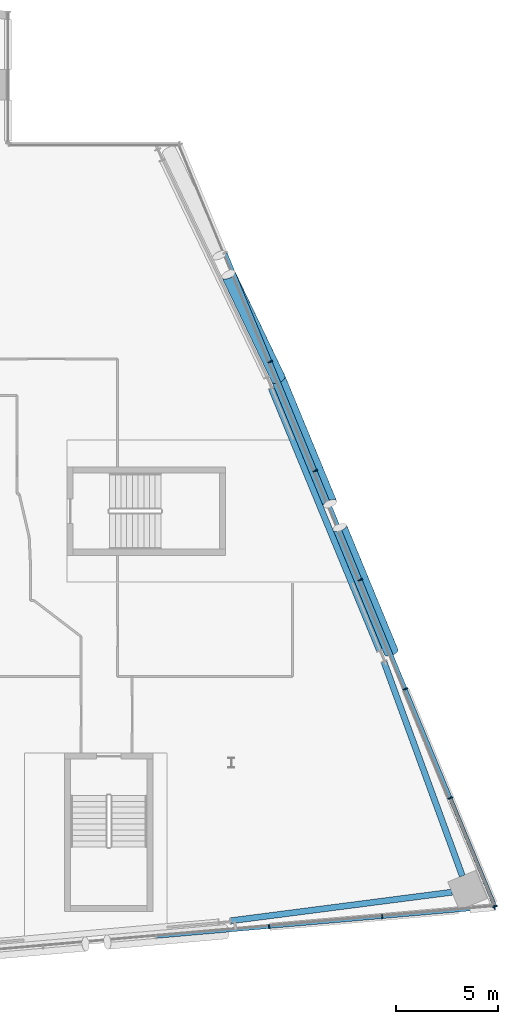
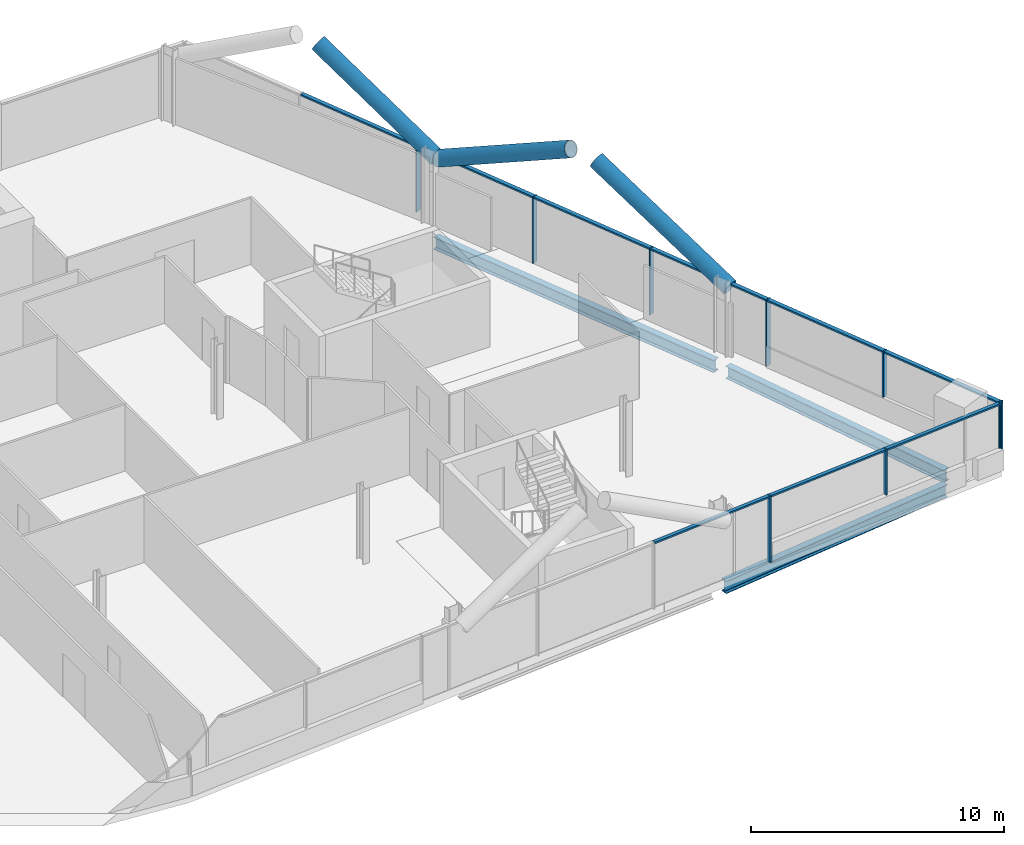
# One storey, part 11 of 26: 21 members, 3 beams, 2 elements without a shape of their own.
"""IFC4 building model written with IfcOpenShell, lengths in metres."""

from ifc_helpers import new_model, si_unit, direction, frame, origin, origin_2d, place, context, subcontext, project, spatial, rectangle, hollow_circle, i_section, extrude, material, material_profile, profile_set, type_object, element, aggregate, save


model = new_model("IFC4")

# Units and contexts
model_context = context("Model", 3, precision=1e-05, world=origin(), true_north=direction((0.0, 1.0)))
body_context = subcontext(model_context, "Body", "Model", "MODEL_VIEW")
ifc_project = project(units=[si_unit("LENGTHUNIT", "METRE"), si_unit("AREAUNIT", "SQUARE_METRE"), si_unit("VOLUMEUNIT", "CUBIC_METRE"), si_unit("PLANEANGLEUNIT", "RADIAN"), si_unit("MASSUNIT", "GRAM", prefix="KILO")], contexts=[model_context])

# Site, building, storey
site_placement = place(None, origin())
site = spatial("IfcSite", under=ifc_project, at=site_placement, CompositionType="ELEMENT")
building_placement = place(site_placement, origin())
building = spatial("IfcBuilding", under=site, at=building_placement, Name="Wharfspan Tower", CompositionType="ELEMENT")
storey_placement = place(building_placement, frame((0.0, 0.0, 169.899902)))
storey = spatial("IfcBuildingStorey", under=building, at=storey_placement, Name="L41", CompositionType="ELEMENT", Elevation=169.899902)

# Beams
ifc_material_1 = material(Name="Steel S355J2", Category="steel")
ifc_material_profile_1 = material_profile(ifc_material_1, i_section(OverallWidth=0.300049, OverallDepth=0.600098, WebThickness=0.015381, FlangeThickness=0.030029, FilletRadius=0.0271, at=origin_2d()))
ifc_profile_set_1 = profile_set([ifc_material_profile_1], Name="Steel S355J2")
beam_type = type_object("IfcBeamType", Name="Edge beam HEB 600", PredefinedType="SPANDREL", material=ifc_profile_set_1)
beam_1_placement = place(storey_placement, frame((71.965576, 3.724121, -0.699951), z_axis=(0.991764, 0.128077, 0.0), x_axis=(-0.128077, 0.991764, 0.0)))
element("IfcBeam", 1, at=beam_1_placement, inside=storey, type_object=beam_type, Name="Edge beam S2 L41 PS2.2 to MC4", PredefinedType="SPANDREL", context=body_context, shape_type="SweptSolid", body=[
    extrude(i_section(OverallWidth=0.300049, OverallDepth=0.600098, WebThickness=0.015381, FlangeThickness=0.030029, FilletRadius=0.0271, at=origin_2d()), origin(), (0.0, 0.0, 1.0), 10.991211),
])
beam_2_placement = place(storey_placement, frame((83.375732, 5.931885, -0.699951), z_axis=(-0.343871, 0.939017, 0.0), x_axis=(-0.939017, -0.343871, 0.0)))
element("IfcBeam", 2, at=beam_2_placement, inside=storey, type_object=beam_type, Name="Edge beam E L41 MC4 to PE.1", PredefinedType="SPANDREL", context=body_context, shape_type="SweptSolid", body=[
    extrude(i_section(OverallWidth=0.300049, OverallDepth=0.600098, WebThickness=0.015381, FlangeThickness=0.030029, FilletRadius=0.0271, at=origin_2d()), origin(), (0.0, 0.0, 1.0), 11.226807),
])
beam_3_placement = place(storey_placement, frame((79.292969, 17.044434, -0.699951), z_axis=(-0.381593, 0.92433, 0.0), x_axis=(-0.92433, -0.381593, 0.0)))
element("IfcBeam", 3, at=beam_3_placement, inside=storey, type_object=beam_type, Name="Edge beam E L41 PE.1 to PE.2", PredefinedType="SPANDREL", context=body_context, shape_type="SweptSolid", body=[
    extrude(i_section(OverallWidth=0.300049, OverallDepth=0.600098, WebThickness=0.015381, FlangeThickness=0.030029, FilletRadius=0.0271, at=origin_2d()), origin(), (0.0, 0.0, 1.0), 13.94751),
])

# Curtain wall, members
ifc_material_2 = material(Name="Aluminium 6063-T6", Category="aluminium")
curtain_wall_type_1 = type_object("IfcCurtainWallType", Name="CURTAIN WALL FACETED FRONT", PredefinedType="NOTDEFINED", material=ifc_material_2)
curtain_wall_1_placement = place(storey_placement, origin())
curtain_wall_1 = element("IfcCurtainWall", 4, at=curtain_wall_1_placement, inside=storey, type_object=curtain_wall_type_1, Name="Curtain wall S2", PredefinedType="NOTDEFINED")
ifc_material_profile_2 = material_profile(ifc_material_2, rectangle(XDim=0.199951, YDim=0.060059, at=origin_2d()))
ifc_profile_set_2 = profile_set([ifc_material_profile_2], Name="Aluminium 6063-T6")
member_type_1 = type_object("IfcMemberType", Name="MULLION FACETED FRONT 60x200", PredefinedType="MULLION", material=ifc_profile_set_2)
member_1_placement = place(storey_placement, frame((73.857178, 3.425049, 0.0), z_axis=(0.0, 0.0, 1.0), x_axis=(-0.087156, 0.996198, 0.0)))
member_1 = element("IfcMember", 5, at=member_1_placement, type_object=member_type_1, Name="Curtain wall S2 mullion 6", PredefinedType="MULLION", context=body_context, shape_type="SweptSolid", body=[
    extrude(rectangle(XDim=0.199951, YDim=0.060059, at=origin_2d()), origin(), (0.0, 0.0, 1.0), 3.200195),
])
member_2_placement = place(storey_placement, frame((79.428467, 3.912598, 1.0), z_axis=(0.0, 0.0, 1.0), x_axis=(-0.087156, 0.996198, 0.0)))
member_2 = element("IfcMember", 6, at=member_2_placement, type_object=member_type_1, Name="Curtain wall S2 mullion 7", PredefinedType="MULLION", context=body_context, shape_type="SweptSolid", body=[
    extrude(rectangle(XDim=0.199951, YDim=0.060059, at=origin_2d()), origin(), (0.0, 0.0, 1.0), 2.200195),
])
member_3_placement = place(storey_placement, frame((84.970215, 4.397461, 1.0), z_axis=(0.0, 0.0, 1.0), x_axis=(-0.087156, 0.996198, 0.0)))
member_3 = element("IfcMember", 7, at=member_3_placement, type_object=member_type_1, Name="Curtain wall S2 mullion 8", PredefinedType="MULLION", context=body_context, shape_type="SweptSolid", body=[
    extrude(rectangle(XDim=0.199951, YDim=0.060059, at=origin_2d()), origin(), (0.0, 0.0, 1.0), 2.200195),
])

curtain_wall_type_2 = type_object("IfcCurtainWallType", Name="CURTAIN WALL PROW AND END", PredefinedType="NOTDEFINED", material=ifc_material_2)
curtain_wall_2_placement = place(storey_placement, origin())
curtain_wall_2 = element("IfcCurtainWall", 8, at=curtain_wall_2_placement, inside=storey, type_object=curtain_wall_type_2, Name="Curtain wall E", PredefinedType="NOTDEFINED")
ifc_material_profile_3 = material_profile(ifc_material_2, rectangle(XDim=0.23999, YDim=0.060059, at=origin_2d()))
ifc_profile_set_3 = profile_set([ifc_material_profile_3], Name="Aluminium 6063-T6")
member_type_2 = type_object("IfcMemberType", Name="MULLION PROW AND END 60x240", PredefinedType="MULLION", material=ifc_profile_set_3)
member_4_placement = place(storey_placement, frame((84.988525, 4.427734, 1.0), z_axis=(0.0, 0.0, 1.0), x_axis=(-0.924325, -0.381602, 0.0)))
member_4 = element("IfcMember", 9, at=member_4_placement, type_object=member_type_2, Name="Curtain wall E mullion 1", PredefinedType="MULLION", context=body_context, shape_type="SweptSolid", body=[
    extrude(rectangle(XDim=0.23999, YDim=0.060059, at=origin_2d()), origin(), (0.0, 0.0, 1.0), 2.200195),
])
member_5_placement = place(storey_placement, frame((82.782471, 9.771484, 1.0), z_axis=(0.0, 0.0, 1.0), x_axis=(-0.924325, -0.381602, 0.0)))
member_5 = element("IfcMember", 10, at=member_5_placement, type_object=member_type_2, Name="Curtain wall E mullion 2", PredefinedType="MULLION", context=body_context, shape_type="SweptSolid", body=[
    extrude(rectangle(XDim=0.23999, YDim=0.060059, at=origin_2d()), origin(), (0.0, 0.0, 1.0), 2.200195),
])
member_6_placement = place(storey_placement, frame((80.564941, 15.142822, 0.0), z_axis=(0.0, 0.0, 1.0), x_axis=(-0.924325, -0.381602, 0.0)))
member_6 = element("IfcMember", 11, at=member_6_placement, type_object=member_type_2, Name="Curtain wall E mullion 3", PredefinedType="MULLION", context=body_context, shape_type="SweptSolid", body=[
    extrude(rectangle(XDim=0.23999, YDim=0.060059, at=origin_2d()), origin(), (0.0, 0.0, 1.0), 3.200195),
])
member_7_placement = place(storey_placement, frame((78.347412, 20.514404, 0.0), z_axis=(0.0, 0.0, 1.0), x_axis=(-0.924325, -0.381602, 0.0)))
member_7 = element("IfcMember", 12, at=member_7_placement, type_object=member_type_2, Name="Curtain wall E mullion 4", PredefinedType="MULLION", context=body_context, shape_type="SweptSolid", body=[
    extrude(rectangle(XDim=0.23999, YDim=0.060059, at=origin_2d()), origin(), (0.0, 0.0, 1.0), 3.200195),
])
member_8_placement = place(storey_placement, frame((76.129639, 25.885742, 0.0), z_axis=(0.0, 0.0, 1.0), x_axis=(-0.924325, -0.381602, 0.0)))
member_8 = element("IfcMember", 13, at=member_8_placement, type_object=member_type_2, Name="Curtain wall E mullion 5", PredefinedType="MULLION", context=body_context, shape_type="SweptSolid", body=[
    extrude(rectangle(XDim=0.23999, YDim=0.060059, at=origin_2d()), origin(), (0.0, 0.0, 1.0), 3.200195),
])
member_9_placement = place(storey_placement, frame((73.912109, 31.25708, 0.0), z_axis=(0.0, 0.0, 1.0), x_axis=(-0.924325, -0.381602, 0.0)))
member_9 = element("IfcMember", 14, at=member_9_placement, type_object=member_type_2, Name="Curtain wall E mullion 6", PredefinedType="MULLION", context=body_context, shape_type="SweptSolid", body=[
    extrude(rectangle(XDim=0.23999, YDim=0.060059, at=origin_2d()), origin(), (0.0, 0.0, 1.0), 3.200195),
])

# Members
ifc_material_3 = material(Name="Steel S460NH", Category="steel")
ifc_material_profile_4 = material_profile(ifc_material_3, hollow_circle(Radius=0.355469, WallThickness=0.035889, at=origin_2d()))
ifc_profile_set_4 = profile_set([ifc_material_profile_4], Name="Steel S460NH")
member_type_3 = type_object("IfcMemberType", Name="Mega brace CHS 711x36", PredefinedType="BRACE", material=ifc_profile_set_4)
for number, where, z_axis, x_axis, name in (
    (15, (79.876465, 16.954346, 2.900146), (-0.342045, 0.828562, 0.443271), (-0.924337, -0.381581, -3e-06), "Mega brace E5 L42 part 1"),
    (16, (74.320557, 30.411865, 2.900146), (0.342084, -0.828543, 0.443278), (0.924317, 0.381625, -3e-06), "Mega brace E5 L42 part 3"),
):
    element("IfcMember", number, at=place(storey_placement, frame(where, z_axis=z_axis, x_axis=x_axis)), inside=storey, type_object=member_type_3, Name=name, PredefinedType="BRACE", context=body_context, shape_type="SweptSolid", body=[
        extrude(hollow_circle(Radius=0.355469, WallThickness=0.035889, at=origin_2d()), origin(), (0.0, 0.0, 1.0), 7.406738),
    ])
member_10_placement = place(storey_placement, frame((74.320557, 30.411865, 2.900146), z_axis=(-0.374119, 0.780731, 0.500494), x_axis=(-0.90181, -0.432137, -3e-06)))
element("IfcMember", 17, at=member_10_placement, inside=storey, type_object=member_type_3, Name="Mega brace E6 L42 part 1", PredefinedType="BRACE", context=body_context, shape_type="SweptSolid", body=[
    extrude(hollow_circle(Radius=0.355469, WallThickness=0.035889, at=origin_2d()), origin(), (0.0, 0.0, 1.0), 6.581787),
])

# Member
ifc_material_profile_5 = material_profile(ifc_material_2, rectangle(XDim=0.159912, YDim=0.080078, at=origin_2d()))
ifc_profile_set_5 = profile_set([ifc_material_profile_5], Name="Aluminium 6063-T6")
member_type_4 = type_object("IfcMemberType", Name="TRANSOM FACETED FRONT 80x160", PredefinedType="USERDEFINED", material=ifc_profile_set_5)
member_11_placement = place(storey_placement, frame((68.315674, 2.940186, 3.160156), z_axis=(0.996191, 0.087197, 0.0), x_axis=(-0.087197, 0.996191, 0.0)))
member_11 = element("IfcMember", 18, at=member_11_placement, type_object=member_type_4, Name="Curtain wall S2 transom 5", ObjectType="TRANSOM", PredefinedType="USERDEFINED", context=body_context, shape_type="SweptSolid", body=[
    extrude(rectangle(XDim=0.159912, YDim=0.080078, at=origin_2d()), origin(), (0.0, 0.0, 1.0), 5.532471),
])

member_12_placement = place(storey_placement, frame((73.886963, 3.427734, 3.160156), z_axis=(0.996195, 0.087149, 0.0), x_axis=(-0.087149, 0.996195, 0.0)))
member_12 = element("IfcMember", 19, at=member_12_placement, type_object=member_type_4, Name="Curtain wall S2 transom 6", ObjectType="TRANSOM", PredefinedType="USERDEFINED", context=body_context, shape_type="SweptSolid", body=[
    extrude(rectangle(XDim=0.159912, YDim=0.080078, at=origin_2d()), origin(), (0.0, 0.0, 1.0), 5.532715),
])

member_13_placement = place(storey_placement, frame((79.458496, 3.915283, 3.160156), z_axis=(0.996196, 0.087139, 0.0), x_axis=(-0.087139, 0.996196, 0.0)))
member_13 = element("IfcMember", 20, at=member_13_placement, type_object=member_type_4, Name="Curtain wall S2 transom 7", ObjectType="TRANSOM", PredefinedType="USERDEFINED", context=body_context, shape_type="SweptSolid", body=[
    extrude(rectangle(XDim=0.159912, YDim=0.080078, at=origin_2d()), origin(), (0.0, 0.0, 1.0), 5.502686),
])

aggregate(curtain_wall_1, [member_1, member_2, member_3, member_11, member_12, member_13])

ifc_material_profile_6 = material_profile(ifc_material_2, rectangle(XDim=0.179932, YDim=0.080078, at=origin_2d()))
ifc_profile_set_6 = profile_set([ifc_material_profile_6], Name="Aluminium 6063-T6")
member_type_5 = type_object("IfcMemberType", Name="TRANSOM PROW AND END 80x180", PredefinedType="USERDEFINED", material=ifc_profile_set_6)
member_14_placement = place(storey_placement, frame((84.977051, 4.455566, 3.160156), z_axis=(-0.381595, 0.924329, 0.0), x_axis=(-0.924329, -0.381595, 0.0)))
member_14 = element("IfcMember", 21, at=member_14_placement, type_object=member_type_5, Name="Curtain wall E transom 1", ObjectType="TRANSOM", PredefinedType="USERDEFINED", context=body_context, shape_type="SweptSolid", body=[
    extrude(rectangle(XDim=0.179932, YDim=0.080078, at=origin_2d()), origin(), (0.0, 0.0, 1.0), 5.720947),
])

member_15_placement = place(storey_placement, frame((82.770996, 9.799072, 3.160156), z_axis=(-0.381578, 0.924337, 0.0), x_axis=(-0.924337, -0.381578, 0.0)))
member_15 = element("IfcMember", 22, at=member_15_placement, type_object=member_type_5, Name="Curtain wall E transom 2", ObjectType="TRANSOM", PredefinedType="USERDEFINED", context=body_context, shape_type="SweptSolid", body=[
    extrude(rectangle(XDim=0.179932, YDim=0.080078, at=origin_2d()), origin(), (0.0, 0.0, 1.0), 5.751221),
])

member_16_placement = place(storey_placement, frame((80.553467, 15.170654, 3.160156), z_axis=(-0.381629, 0.924315, 0.0), x_axis=(-0.924315, -0.381629, 0.0)))
member_16 = element("IfcMember", 23, at=member_16_placement, type_object=member_type_5, Name="Curtain wall E transom 3", ObjectType="TRANSOM", PredefinedType="USERDEFINED", context=body_context, shape_type="SweptSolid", body=[
    extrude(rectangle(XDim=0.179932, YDim=0.080078, at=origin_2d()), origin(), (0.0, 0.0, 1.0), 5.751221),
])

member_17_placement = place(storey_placement, frame((78.335938, 20.541992, 3.160156), z_axis=(-0.381629, 0.924315, 0.0), x_axis=(-0.924315, -0.381629, 0.0)))
member_17 = element("IfcMember", 24, at=member_17_placement, type_object=member_type_5, Name="Curtain wall E transom 4", ObjectType="TRANSOM", PredefinedType="USERDEFINED", context=body_context, shape_type="SweptSolid", body=[
    extrude(rectangle(XDim=0.179932, YDim=0.080078, at=origin_2d()), origin(), (0.0, 0.0, 1.0), 5.751221),
])

member_18_placement = place(storey_placement, frame((76.118408, 25.91333, 3.160156), z_axis=(-0.381614, 0.924322, 0.0), x_axis=(-0.924322, -0.381614, 0.0)))
member_18 = element("IfcMember", 25, at=member_18_placement, type_object=member_type_5, Name="Curtain wall E transom 5", ObjectType="TRANSOM", PredefinedType="USERDEFINED", context=body_context, shape_type="SweptSolid", body=[
    extrude(rectangle(XDim=0.179932, YDim=0.080078, at=origin_2d()), origin(), (0.0, 0.0, 1.0), 5.751465),
])

member_19_placement = place(storey_placement, frame((73.900635, 31.284912, 3.160156), z_axis=(-0.381593, 0.92433, 0.0), x_axis=(-0.92433, -0.381593, 0.0)))
member_19 = element("IfcMember", 26, at=member_19_placement, type_object=member_type_5, Name="Curtain wall E transom 6", ObjectType="TRANSOM", PredefinedType="USERDEFINED", context=body_context, shape_type="SweptSolid", body=[
    extrude(rectangle(XDim=0.179932, YDim=0.080078, at=origin_2d()), origin(), (0.0, 0.0, 1.0), 5.751221),
])

aggregate(curtain_wall_2, [member_4, member_5, member_6, member_7, member_8, member_9, member_14, member_15, member_16, member_17, member_18, member_19])

save(model, "model.ifc")
